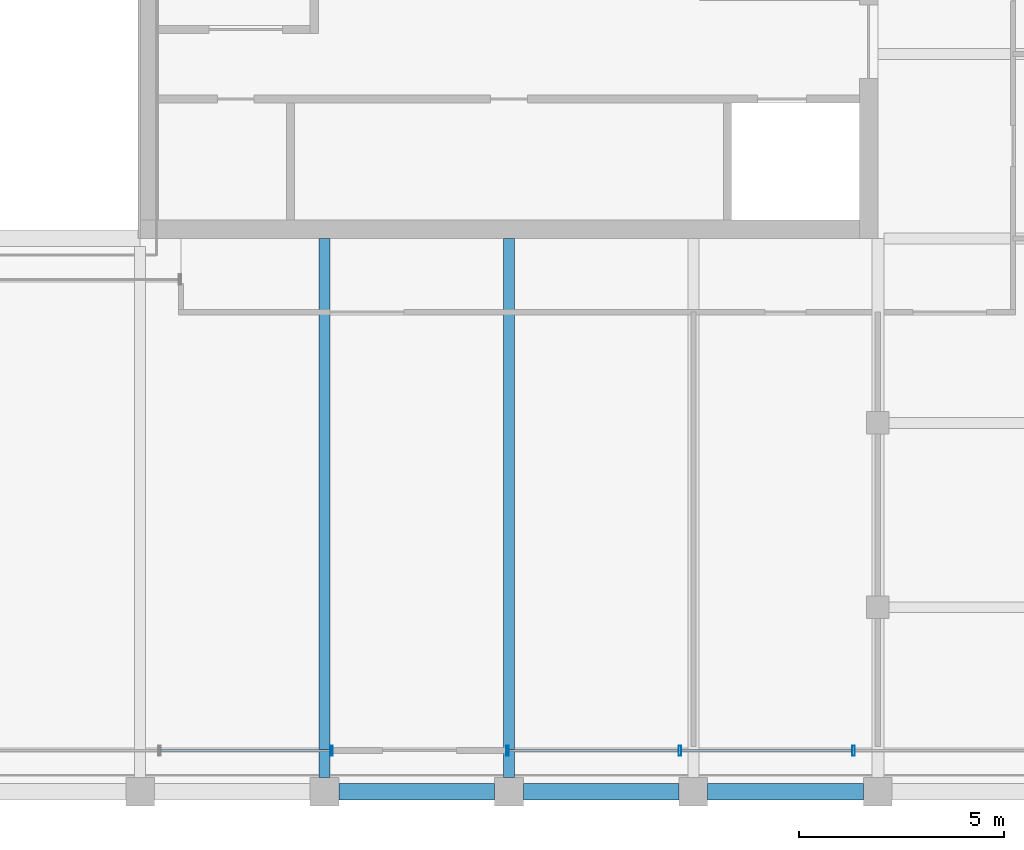
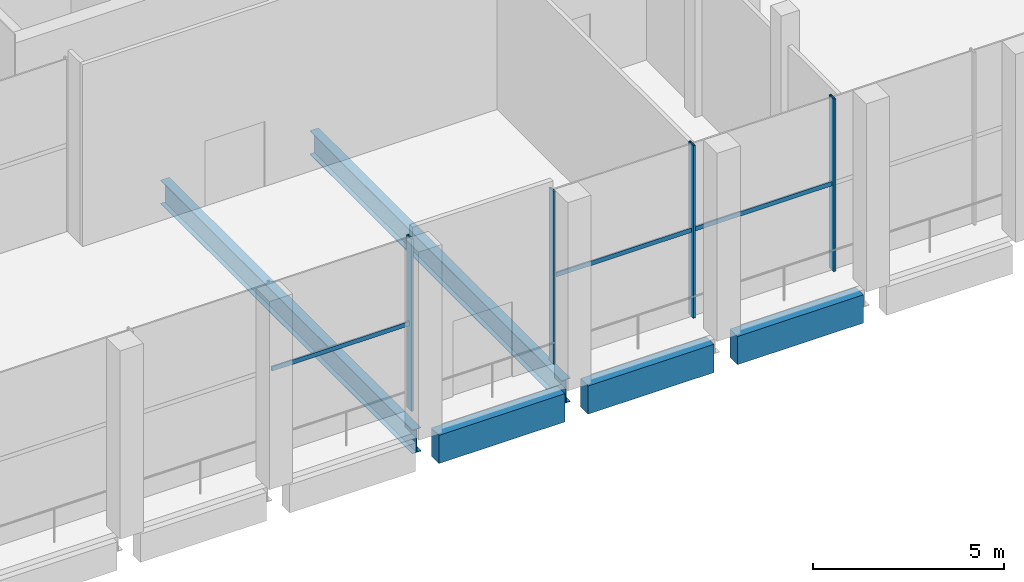
# One storey, part 5 of 15: 7 members, 5 beams, 2 elements without a shape of their own.
"""IFC4 building model written with IfcOpenShell, lengths in metres."""

from ifc_helpers import new_model, si_unit, direction, frame, origin, origin_2d, place, context, subcontext, project, spatial, rectangle, hollow_rectangle, i_section, extrude, material, material_profile, profile_set, type_object, element, aggregate, save


model = new_model("IFC4")

# Units and contexts
model_context = context("Model", 3, precision=1e-05, world=origin(), true_north=direction((0.0, 1.0)))
body_context = subcontext(model_context, "Body", "Model", "MODEL_VIEW")
ifc_project = project(units=[si_unit("LENGTHUNIT", "METRE"), si_unit("AREAUNIT", "SQUARE_METRE"), si_unit("VOLUMEUNIT", "CUBIC_METRE"), si_unit("PLANEANGLEUNIT", "RADIAN"), si_unit("MASSUNIT", "GRAM", prefix="KILO")], contexts=[model_context])

# Site, building, storey
site_placement = place(None, origin())
site = spatial("IfcSite", under=ifc_project, at=site_placement, CompositionType="ELEMENT")
building_placement = place(site_placement, origin())
building = spatial("IfcBuilding", under=site, at=building_placement, Name="Altepetl Exchange Towers", CompositionType="ELEMENT")
storey_placement = place(building_placement, frame((0.0, 0.0, 263.60009765625)))
storey = spatial("IfcBuildingStorey", under=building, at=storey_placement, Name="L67 Observation deck", CompositionType="ELEMENT", Elevation=263.60009765625)

# Beams
ifc_material_1 = material(Name="Steel S355", Category="steel")
ifc_material_profile_1 = material_profile(ifc_material_1, i_section(OverallWidth=0.26611328125, OverallDepth=0.758056640625, WebThickness=0.013916015625, FlangeThickness=0.019287109375, at=origin_2d()), Name="W30X108")
ifc_profile_set_1 = profile_set([ifc_material_profile_1], Name="Steel S355")
beam_type_1 = type_object("IfcBeamType", Name="Floor beam W30X108", PredefinedType="BEAM", material=ifc_profile_set_1)
for number, where, z_axis, x_axis, name in (
    (1, (45.0, 27.35009765625, -0.55419921875), (0.0, 1.0, 0.0), (-1.0, 0.0, 0.0), "bm:A:L67:009"),
    (2, (49.5, 27.35009765625, -0.55419921875), (0.0, 1.0, 0.0), (-1.0, 0.0, 0.0), "bm:A:L67:010"),
):
    element("IfcBeam", number, at=place(storey_placement, frame(where, z_axis=z_axis, x_axis=x_axis)), inside=storey, type_object=beam_type_1, Name=name, PredefinedType="BEAM", context=body_context, shape_type="SweptSolid", body=[
        extrude(i_section(OverallWidth=0.26611328125, OverallDepth=0.758056640625, WebThickness=0.013916015625, FlangeThickness=0.019287109375, at=origin_2d()), origin(), (0.0, 0.0, 1.0), 13.14990234375),
    ])

# Curtain wall, member
ifc_material_2 = material(Name="Aluminium 6063-T6 glazing", Category="aluminium")
curtain_wall_type = type_object("IfcCurtainWallType", Name="Executive flush glazing system", PredefinedType="NOTDEFINED", material=ifc_material_2)
curtain_wall_1_placement = place(storey_placement, origin())
curtain_wall_1 = element("IfcCurtainWall", 3, at=curtain_wall_1_placement, inside=storey, type_object=curtain_wall_type, Name="CW4 run", PredefinedType="NOTDEFINED")
ifc_material_3 = material(Name="Aluminium 6063-T6", Category="aluminium")
ifc_material_profile_2 = material_profile(ifc_material_3, hollow_rectangle(XDim=0.06005859375, YDim=0.25, WallThickness=0.0029296875, at=origin_2d()), Name="Mullion 60x250 hollow aluminium")
ifc_profile_set_2 = profile_set([ifc_material_profile_2], Name="Aluminium 6063-T6")
member_type_1 = type_object("IfcMemberType", Name="Mullion 60x250 hollow aluminium", PredefinedType="MULLION", material=ifc_profile_set_2)
member_1_placement = place(storey_placement, frame((45.173095703125, 28.0, 0.0)))
member_1 = element("IfcMember", 4, at=member_1_placement, type_object=member_type_1, Name="MU3 mullion", PredefinedType="MULLION", context=body_context, shape_type="SweptSolid", body=[
    extrude(hollow_rectangle(XDim=0.06005859375, YDim=0.25, WallThickness=0.0029296875, at=origin_2d()), origin(), (0.0, 0.0, 1.0), 5.5),
])

# Curtain wall, members
curtain_wall_2_placement = place(storey_placement, origin())
curtain_wall_2 = element("IfcCurtainWall", 5, at=curtain_wall_2_placement, inside=storey, type_object=curtain_wall_type, Name="CW4 run", PredefinedType="NOTDEFINED")
member_2_placement = place(storey_placement, frame((49.467529296875, 28.0, 0.0)))
member_2 = element("IfcMember", 6, at=member_2_placement, type_object=member_type_1, Name="MU3 mullion", PredefinedType="MULLION", context=body_context, shape_type="SweptSolid", body=[
    extrude(hollow_rectangle(XDim=0.06005859375, YDim=0.25, WallThickness=0.0029296875, at=origin_2d()), origin(), (0.0, 0.0, 1.0), 5.5),
])
member_3_placement = place(storey_placement, frame((53.671875, 28.0, 0.0)))
member_3 = element("IfcMember", 7, at=member_3_placement, type_object=member_type_1, Name="MU3 mullion", PredefinedType="MULLION", context=body_context, shape_type="SweptSolid", body=[
    extrude(hollow_rectangle(XDim=0.06005859375, YDim=0.25, WallThickness=0.0029296875, at=origin_2d()), origin(), (0.0, 0.0, 1.0), 5.5),
])
member_4_placement = place(storey_placement, frame((57.90625, 28.0, 0.0)))
member_4 = element("IfcMember", 8, at=member_4_placement, type_object=member_type_1, Name="MU3 mullion", PredefinedType="MULLION", context=body_context, shape_type="SweptSolid", body=[
    extrude(hollow_rectangle(XDim=0.06005859375, YDim=0.25, WallThickness=0.0029296875, at=origin_2d()), origin(), (0.0, 0.0, 1.0), 5.5),
])

# Beams
ifc_material_4 = material(Name="Concrete C50/60 precast with cantera blanca facing", Category="concrete")
ifc_material_profile_3 = material_profile(ifc_material_4, rectangle(XDim=0.39990234375, YDim=0.89990234375, at=origin_2d()), Name="400 x 900")
ifc_profile_set_3 = profile_set([ifc_material_profile_3], Name="Concrete C50/60 precast with cantera blanca facing")
beam_type_2 = type_object("IfcBeamType", Name="Spandrel beam 400x900 cantera blanca", PredefinedType="SPANDREL", material=ifc_profile_set_3)
for number, where, z_axis, x_axis, name in (
    (9, (45.35009765625, 27.0, -0.625), (1.0, 0.0, 0.0), (0.0, 1.0, 0.0), "sp:A:L67:003"),
    (10, (49.85009765625, 27.0, -0.625), (1.0, 0.0, 0.0), (0.0, 1.0, 0.0), "sp:A:L67:004"),
    (11, (54.35009765625, 27.0, -0.625), (1.0, 0.0, 0.0), (0.0, 1.0, 0.0), "sp:A:L67:005"),
):
    element("IfcBeam", number, at=place(storey_placement, frame(where, z_axis=z_axis, x_axis=x_axis)), inside=storey, type_object=beam_type_2, Name=name, PredefinedType="SPANDREL", context=body_context, shape_type="SweptSolid", body=[
        extrude(rectangle(XDim=0.39990234375, YDim=0.89990234375, at=origin_2d()), origin(), (0.0, 0.0, 1.0), 3.7998046875),
    ])

# Member
ifc_material_profile_4 = material_profile(ifc_material_3, hollow_rectangle(XDim=0.050048828125, YDim=0.139892578125, WallThickness=0.0029296875, at=origin_2d()), Name="Transom 50x140 hollow aluminium")
ifc_profile_set_4 = profile_set([ifc_material_profile_4], Name="Aluminium 6063-T6")
member_type_2 = type_object("IfcMemberType", Name="Transom 50x140 hollow aluminium", PredefinedType="USERDEFINED", material=ifc_profile_set_4)
member_5_placement = place(storey_placement, frame((40.998779296875, 28.0, 2.75), z_axis=(1.0, 0.0, 0.0), x_axis=(0.0, 1.0, 0.0)))
member_5 = element("IfcMember", 12, at=member_5_placement, type_object=member_type_2, Name="TR2 transom", ObjectType="TRANSOM", PredefinedType="USERDEFINED", context=body_context, shape_type="SweptSolid", body=[
    extrude(hollow_rectangle(XDim=0.050048828125, YDim=0.139892578125, WallThickness=0.0029296875, at=origin_2d()), origin(), (0.0, 0.0, 1.0), 4.144287109375),
])

aggregate(curtain_wall_1, [member_1, member_5])

member_6_placement = place(storey_placement, frame((49.49755859375, 28.0, 2.75), z_axis=(1.0, 0.0, 0.0), x_axis=(0.0, 1.0, 0.0)))
member_6 = element("IfcMember", 13, at=member_6_placement, type_object=member_type_2, Name="TR2 transom", ObjectType="TRANSOM", PredefinedType="USERDEFINED", context=body_context, shape_type="SweptSolid", body=[
    extrude(hollow_rectangle(XDim=0.050048828125, YDim=0.139892578125, WallThickness=0.0029296875, at=origin_2d()), origin(), (0.0, 0.0, 1.0), 4.144287109375),
])

member_7_placement = place(storey_placement, frame((53.701904296875, 28.0, 2.75), z_axis=(1.0, 0.0, 0.0), x_axis=(0.0, 1.0, 0.0)))
member_7 = element("IfcMember", 14, at=member_7_placement, type_object=member_type_2, Name="TR2 transom", ObjectType="TRANSOM", PredefinedType="USERDEFINED", context=body_context, shape_type="SweptSolid", body=[
    extrude(hollow_rectangle(XDim=0.050048828125, YDim=0.139892578125, WallThickness=0.0029296875, at=origin_2d()), origin(), (0.0, 0.0, 1.0), 4.17431640625),
])

aggregate(curtain_wall_2, [member_2, member_3, member_4, member_6, member_7])

save(model, "model.ifc")
